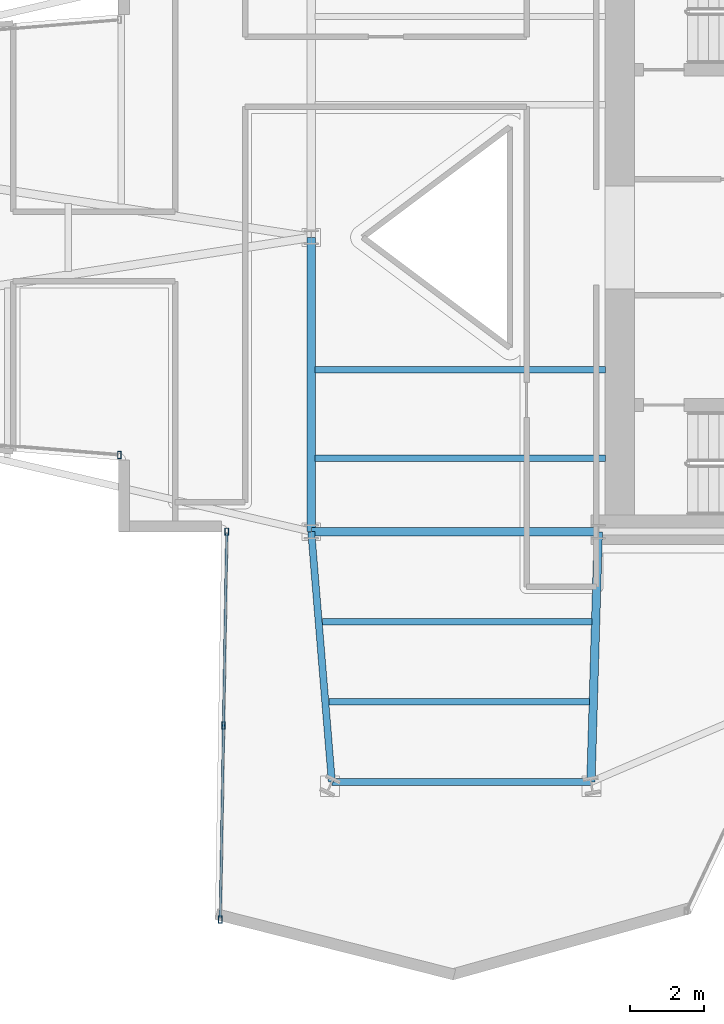
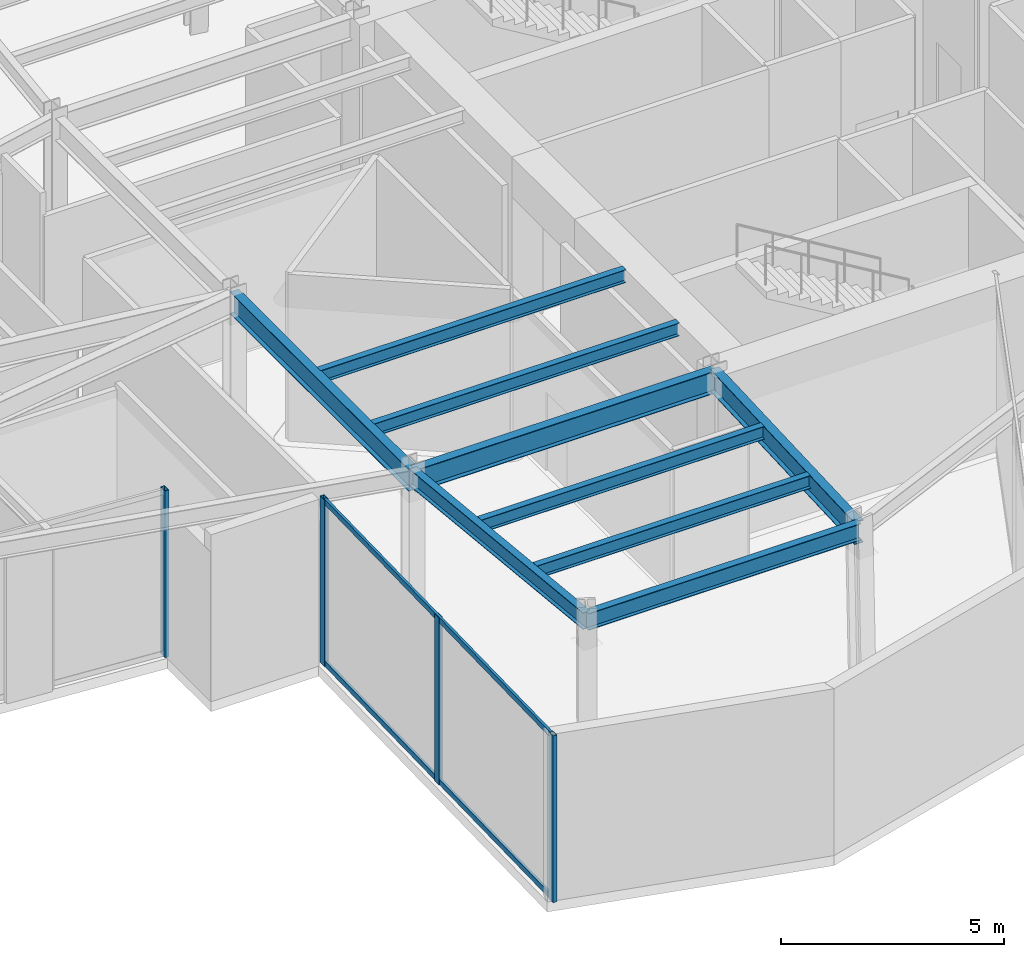
# One storey, part 3 of 13: 9 beams, 6 members, 2 elements without a shape of their own.
"""IFC4 building model written with IfcOpenShell, lengths in metres."""

from ifc_helpers import new_model, si_unit, direction, frame, origin, origin_2d, place, context, subcontext, project, spatial, hollow_rectangle, i_section, extrude, material, layer, layer_set, material_profile, profile_set, type_object, element, aggregate, save


model = new_model("IFC4")

# Units and contexts
model_context = context("Model", 3, precision=1e-05, world=origin(), true_north=direction((0.0, 1.0)))
body_context = subcontext(model_context, "Body", "Model", "MODEL_VIEW")
ifc_project = project(units=[si_unit("LENGTHUNIT", "METRE"), si_unit("AREAUNIT", "SQUARE_METRE"), si_unit("VOLUMEUNIT", "CUBIC_METRE"), si_unit("PLANEANGLEUNIT", "RADIAN"), si_unit("MASSUNIT", "GRAM", prefix="KILO")], contexts=[model_context])

# Site, building, storey
site_placement = place(None, origin())
site = spatial("IfcSite", under=ifc_project, at=site_placement, CompositionType="ELEMENT")
building_placement = place(site_placement, origin())
building = spatial("IfcBuilding", under=site, at=building_placement, Name="Veymaron Broadcast Tower", CompositionType="ELEMENT")
storey_placement = place(building_placement, frame((0.0, 0.0, 112.050048828125)))
storey = spatial("IfcBuildingStorey", under=building, at=storey_placement, Name="L25", CompositionType="ELEMENT", Elevation=112.050048828125)

# Beams
ifc_material_1 = material(Name="Structural steel ASTM A992 Gr 50", Category="steel")
ifc_material_profile_1 = material_profile(ifc_material_1, i_section(OverallWidth=0.22802734375, OverallDepth=0.60791015625, WebThickness=0.01123046875, FlangeThickness=0.017333984375, at=origin_2d()), Name="W610X113")
ifc_profile_set_1 = profile_set([ifc_material_profile_1], Name="Structural steel ASTM A992 Gr 50")
beam_type_1 = type_object("IfcBeamType", Name="BM-FG2", PredefinedType="BEAM", material=ifc_profile_set_1)
beam_1_placement = place(storey_placement, frame((31.199951171875, 16.0, 4.255859375), z_axis=(0.0, 1.0, 0.0), x_axis=(-1.0, 0.0, 0.0)))
element("IfcBeam", 1, at=beam_1_placement, inside=storey, type_object=beam_type_1, Name="L25 primary structural floor girder", PredefinedType="BEAM", context=body_context, shape_type="SweptSolid", body=[
    extrude(i_section(OverallWidth=0.22802734375, OverallDepth=0.60791015625, WebThickness=0.01123046875, FlangeThickness=0.017333984375, at=origin_2d()), origin(), (0.0, 0.0, 1.0), 8.0),
])
beam_2_placement = place(storey_placement, frame((31.199951171875, 16.0, 4.255859375), z_axis=(1.0, 0.0, 0.0), x_axis=(0.0, 1.0, 0.0)))
element("IfcBeam", 2, at=beam_2_placement, inside=storey, type_object=beam_type_1, Name="L25 primary structural floor girder", PredefinedType="BEAM", context=body_context, shape_type="SweptSolid", body=[
    extrude(i_section(OverallWidth=0.22802734375, OverallDepth=0.60791015625, WebThickness=0.01123046875, FlangeThickness=0.017333984375, at=origin_2d()), origin(), (0.0, 0.0, 1.0), 7.800048828125),
])
beam_3_placement = place(storey_placement, frame((39.0, 16.0, 4.255859375), z_axis=(-0.029391669433, -0.99956797156, 0.0), x_axis=(0.99956797156, -0.029391669433, 0.0)))
element("IfcBeam", 3, at=beam_3_placement, inside=storey, type_object=beam_type_1, Name="L25 primary structural floor girder", PredefinedType="BEAM", context=body_context, shape_type="SweptSolid", body=[
    extrude(i_section(OverallWidth=0.22802734375, OverallDepth=0.60791015625, WebThickness=0.01123046875, FlangeThickness=0.017333984375, at=origin_2d()), origin(), (0.0, 0.0, 1.0), 6.802978515625),
])
ifc_material_profile_2 = material_profile(ifc_material_1, i_section(OverallWidth=0.1708984375, OverallDepth=0.35498046875, WebThickness=0.007080078125, FlangeThickness=0.01171875, at=origin_2d()), Name="W360X51")
ifc_profile_set_2 = profile_set([ifc_material_profile_2], Name="Structural steel ASTM A992 Gr 50")
beam_type_2 = type_object("IfcBeamType", Name="BM-JS2", PredefinedType="JOIST", material=ifc_profile_set_2)
beam_4_placement = place(storey_placement, frame((31.501708984375, 13.552001953125, 4.382568359375), z_axis=(1.0, 0.0, 0.0), x_axis=(0.0, 1.0, 0.0)))
element("IfcBeam", 4, at=beam_4_placement, inside=storey, type_object=beam_type_2, Name="L25 Arm-C secondary joist 1", PredefinedType="JOIST", context=body_context, shape_type="SweptSolid", body=[
    extrude(i_section(OverallWidth=0.1708984375, OverallDepth=0.35498046875, WebThickness=0.007080078125, FlangeThickness=0.01171875, at=origin_2d()), origin(), (0.0, 0.0, 1.0), 7.326171875),
])
beam_5_placement = place(storey_placement, frame((31.680908203125, 11.3759765625, 4.382568359375), z_axis=(1.0, 0.0, 0.0), x_axis=(0.0, 1.0, 0.0)))
element("IfcBeam", 5, at=beam_5_placement, inside=storey, type_object=beam_type_2, Name="L25 Arm-C secondary joist 2", PredefinedType="JOIST", context=body_context, shape_type="SweptSolid", body=[
    extrude(i_section(OverallWidth=0.1708984375, OverallDepth=0.35498046875, WebThickness=0.007080078125, FlangeThickness=0.01171875, at=origin_2d()), origin(), (0.0, 0.0, 1.0), 7.0830078125),
])
for number, where, z_axis, x_axis, name in (
    (6, (31.300048828125, 18.0, 4.382568359375), (1.0, 0.0, 0.0), (0.0, 1.0, 0.0), "L25 Hub secondary joist 1"),
    (7, (31.300048828125, 20.39990234375, 4.382568359375), (1.0, 0.0, 0.0), (0.0, 1.0, 0.0), "L25 Hub secondary joist 2"),
):
    element("IfcBeam", number, at=place(storey_placement, frame(where, z_axis=z_axis, x_axis=x_axis)), inside=storey, type_object=beam_type_2, Name=name, PredefinedType="JOIST", context=body_context, shape_type="SweptSolid", body=[
        extrude(i_section(OverallWidth=0.1708984375, OverallDepth=0.35498046875, WebThickness=0.007080078125, FlangeThickness=0.01171875, at=origin_2d()), origin(), (0.0, 0.0, 1.0), 7.89990234375),
    ])
ifc_material_profile_3 = material_profile(ifc_material_1, i_section(OverallWidth=0.19091796875, OverallDepth=0.4599609375, WebThickness=0.010009765625, FlangeThickness=0.01611328125, at=origin_2d()), Name="W460X82")
ifc_profile_set_3 = profile_set([ifc_material_profile_3], Name="Structural steel ASTM A992 Gr 50")
beam_type_3 = type_object("IfcBeamType", Name="BM-SP1", PredefinedType="SPANDREL", material=ifc_profile_set_3)
beam_6_placement = place(storey_placement, frame((31.199951171875, 16.0, 4.329833984375), z_axis=(0.082083038904, -0.996625493716, 0.0), x_axis=(0.996625493716, 0.082083038904, 0.0)))
element("IfcBeam", 8, at=beam_6_placement, inside=storey, type_object=beam_type_3, Name="L25 primary structural floor girder", PredefinedType="SPANDREL", context=body_context, shape_type="SweptSolid", body=[
    extrude(i_section(OverallWidth=0.19091796875, OverallDepth=0.4599609375, WebThickness=0.010009765625, FlangeThickness=0.01611328125, at=origin_2d()), origin(), (0.0, 0.0, 1.0), 6.822998046875),
])
beam_7_placement = place(storey_placement, frame((31.760009765625, 9.199951171875, 4.329833984375), z_axis=(1.0, 0.0, 0.0), x_axis=(0.0, 1.0, 0.0)))
element("IfcBeam", 9, at=beam_7_placement, inside=storey, type_object=beam_type_3, Name="L25 primary structural floor girder", PredefinedType="SPANDREL", context=body_context, shape_type="SweptSolid", body=[
    extrude(i_section(OverallWidth=0.19091796875, OverallDepth=0.4599609375, WebThickness=0.010009765625, FlangeThickness=0.01611328125, at=origin_2d()), origin(), (0.0, 0.0, 1.0), 7.0400390625),
])

# Curtain wall, member
ifc_material_2 = material(Name="Anodised aluminium AA 6063-T6 and laminated low-E dark glass", Category="aluminium")
ifc_layer = layer(ifc_material_2, 0.179931640625)
ifc_layer_set = layer_set([ifc_layer], Name="Anodised aluminium AA 6063-T6 and laminated low-E dark glass")
curtain_wall_type = type_object("IfcCurtainWallType", Name="CW-SYS-04", PredefinedType="NOTDEFINED", material=ifc_layer_set)
curtain_wall_1_placement = place(storey_placement, origin())
curtain_wall_1 = element("IfcCurtainWall", 10, at=curtain_wall_1_placement, inside=storey, type_object=curtain_wall_type, Name="L25 dark-glass curtain wall CW-L25-E14-1", PredefinedType="NOTDEFINED")
ifc_material_3 = material(Name="Anodised aluminium AA 6063-T6", Category="aluminium")
ifc_material_profile_4 = material_profile(ifc_material_3, hollow_rectangle(XDim=0.10009765625, YDim=0.199951171875, WallThickness=0.010009765625, at=origin_2d()), Name="RHS200X100X10")
ifc_profile_set_4 = profile_set([ifc_material_profile_4], Name="Anodised aluminium AA 6063-T6")
member_type_1 = type_object("IfcMemberType", Name="CW-MUL-01", PredefinedType="MULLION", material=ifc_profile_set_4)
member_1_placement = place(storey_placement, frame((25.987548828125, 18.088134765625, 0.0), z_axis=(0.0, 0.0, 1.0), x_axis=(1.0, 0.0, 0.0)))
member_1 = element("IfcMember", 11, at=member_1_placement, type_object=member_type_1, Name="CW-L25-E14-1 mullion 2", PredefinedType="MULLION", context=body_context, shape_type="SweptSolid", body=[
    extrude(hollow_rectangle(XDim=0.10009765625, YDim=0.199951171875, WallThickness=0.010009765625, at=origin_2d()), origin(), (0.0, 0.0, 1.0), 4.56005859375),
])
aggregate(curtain_wall_1, [member_1])

# Curtain wall, members
curtain_wall_2_placement = place(storey_placement, origin())
curtain_wall_2 = element("IfcCurtainWall", 12, at=curtain_wall_2_placement, inside=storey, type_object=curtain_wall_type, Name="L25 dark-glass curtain wall CW-L25-E17-1", PredefinedType="NOTDEFINED")
member_2_placement = place(storey_placement, frame((28.902587890625, 15.997802734375, 0.0), z_axis=(0.0, 0.0, 1.0), x_axis=(1.0, 0.0, 0.0)))
member_2 = element("IfcMember", 13, at=member_2_placement, type_object=member_type_1, Name="CW-L25-E17-1 mullion 0", PredefinedType="MULLION", context=body_context, shape_type="SweptSolid", body=[
    extrude(hollow_rectangle(XDim=0.10009765625, YDim=0.199951171875, WallThickness=0.010009765625, at=origin_2d()), origin(), (0.0, 0.0, 1.0), 4.56005859375),
])
member_3_placement = place(storey_placement, frame((28.8154296875, 10.731689453125, 0.0), z_axis=(0.0, 0.0, 1.0), x_axis=(1.0, 0.0, 0.0)))
member_3 = element("IfcMember", 14, at=member_3_placement, type_object=member_type_1, Name="CW-L25-E17-1 mullion 1", PredefinedType="MULLION", context=body_context, shape_type="SweptSolid", body=[
    extrude(hollow_rectangle(XDim=0.10009765625, YDim=0.199951171875, WallThickness=0.010009765625, at=origin_2d()), origin(), (0.0, 0.0, 1.0), 4.56005859375),
])
member_4_placement = place(storey_placement, frame((28.72802734375, 5.4658203125, 0.0), z_axis=(0.0, 0.0, 1.0), x_axis=(1.0, 0.0, 0.0)))
member_4 = element("IfcMember", 15, at=member_4_placement, type_object=member_type_1, Name="CW-L25-E17-1 mullion 2", PredefinedType="MULLION", context=body_context, shape_type="SweptSolid", body=[
    extrude(hollow_rectangle(XDim=0.10009765625, YDim=0.199951171875, WallThickness=0.010009765625, at=origin_2d()), origin(), (0.0, 0.0, 1.0), 4.56005859375),
])
ifc_material_profile_5 = material_profile(ifc_material_3, hollow_rectangle(XDim=0.06494140625, YDim=0.14990234375, WallThickness=0.00390625, at=origin_2d()), Name="AL150X65X4")
ifc_profile_set_5 = profile_set([ifc_material_profile_5], Name="Anodised aluminium AA 6063-T6")
member_type_2 = type_object("IfcMemberType", Name="CW-TRN-01", PredefinedType="USERDEFINED", material=ifc_profile_set_5)
member_5_placement = place(storey_placement, frame((28.90185546875, 15.94775390625, 0.070068359375), z_axis=(-0.01659027432, -0.999862371928, 0.0), x_axis=(0.999862371928, -0.01659027432, 0.0)))
member_5 = element("IfcMember", 16, at=member_5_placement, type_object=member_type_2, Name="CW-L25-E17-1 transom B", ObjectType="TRANSOM", PredefinedType="USERDEFINED", context=body_context, shape_type="SweptSolid", body=[
    extrude(hollow_rectangle(XDim=0.06494140625, YDim=0.14990234375, WallThickness=0.00390625, at=origin_2d()), origin(), (0.0, 0.0, 1.0), 10.43359375),
])
member_6_placement = place(storey_placement, frame((28.90185546875, 15.94775390625, 4.489990234375), z_axis=(-0.01659027432, -0.999862371928, 0.0), x_axis=(0.999862371928, -0.01659027432, 0.0)))
member_6 = element("IfcMember", 17, at=member_6_placement, type_object=member_type_2, Name="CW-L25-E17-1 transom T", ObjectType="TRANSOM", PredefinedType="USERDEFINED", context=body_context, shape_type="SweptSolid", body=[
    extrude(hollow_rectangle(XDim=0.06494140625, YDim=0.14990234375, WallThickness=0.00390625, at=origin_2d()), origin(), (0.0, 0.0, 1.0), 10.43359375),
])
aggregate(curtain_wall_2, [member_2, member_3, member_4, member_5, member_6])

save(model, "model.ifc")
